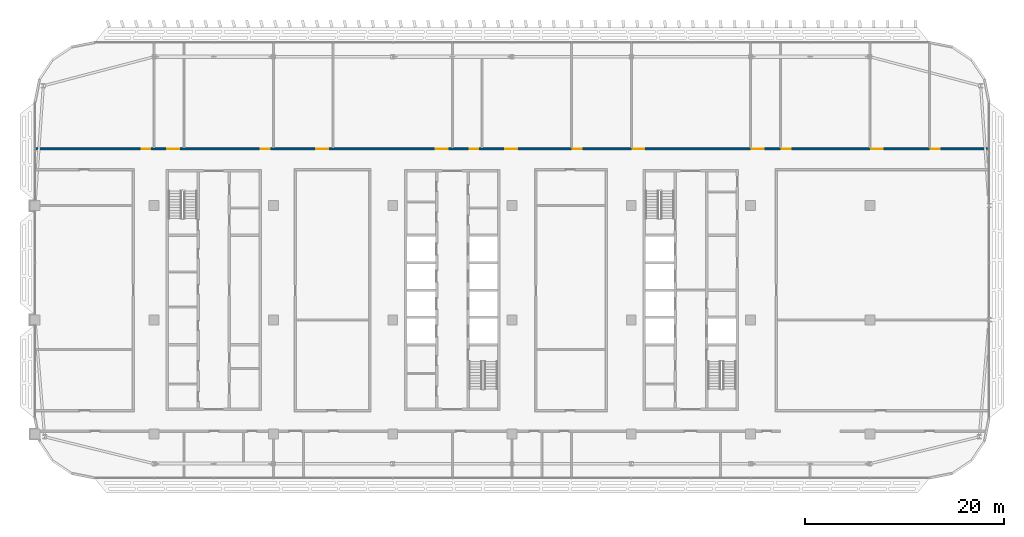
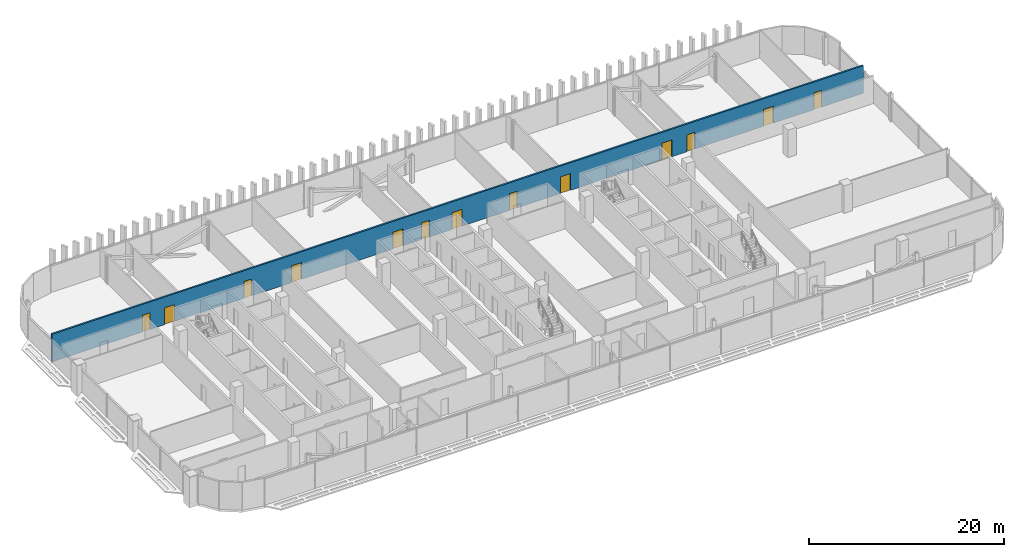
# One storey, part 20 of 32: 13 doors, 1 wall, 13 openings.
"""IFC4 building model written with IfcOpenShell, lengths in metres."""

from ifc_helpers import new_model, si_unit, direction, frame, frame_2d, origin, place, context, subcontext, project, spatial, rectangle, extrude, material, layer, layer_set, type_object, element, fill, save


model = new_model("IFC4")

# Units and contexts
model_context = context("Model", 3, precision=1e-05, world=origin(), true_north=direction((0.0, 1.0)))
body_context = subcontext(model_context, "Body", "Model", "MODEL_VIEW")
ifc_project = project(units=[si_unit("LENGTHUNIT", "METRE"), si_unit("AREAUNIT", "SQUARE_METRE"), si_unit("VOLUMEUNIT", "CUBIC_METRE"), si_unit("PLANEANGLEUNIT", "RADIAN"), si_unit("MASSUNIT", "GRAM", prefix="KILO")], contexts=[model_context])

# Site, building, storey
site_placement = place(None, origin())
site = spatial("IfcSite", under=ifc_project, at=site_placement, CompositionType="ELEMENT")
building_placement = place(site_placement, origin())
building = spatial("IfcBuilding", under=site, at=building_placement, Name="Mahtab Terrace Research Tower", CompositionType="ELEMENT")
storey_placement = place(building_placement, frame((0.0, 0.0, 240.0)))
storey = spatial("IfcBuildingStorey", under=building, at=storey_placement, Name="L58", CompositionType="ELEMENT", Elevation=240.0)

# Wall, openings, doors
ifc_material_1 = material(Name="Gypsum board corridor wall on steel studs", Category="steel")
ifc_layer = layer(ifc_material_1, 0.199951171875)
ifc_layer_set = layer_set([ifc_layer], Name="WALL CORRIDOR 200")
wall_type = type_object("IfcWallType", Name="WALL CORRIDOR 200", PredefinedType="PARTITIONING", material=ifc_layer_set)
wall_placement = place(storey_placement, frame((-41.97509765625, 17.199951171875, 0.0), z_axis=(0.0, 0.0, 1.0), x_axis=(1.0, 0.0, 0.0)))
wall = element("IfcWall", 1, at=wall_placement, inside=storey, type_object=wall_type, Name="L58-W025", PredefinedType="PARTITIONING", context=body_context, shape_type="SweptSolid", body=[
    extrude(rectangle(XDim=95.9501953125, YDim=0.199951171875, at=frame_2d((47.97509765625, 0.0))), origin(), (0.0, 0.0, 1.0), 3.4599609375),
])
opening_1_placement = place(wall_placement, frame((10.699951171875, 0.0, 0.0)))
opening_1 = element("IfcOpeningElement", 2, at=opening_1_placement, cuts=wall, Name="Opening L58-122", PredefinedType="OPENING", context=body_context, shape_type="SweptSolid", body=[
    extrude(rectangle(XDim=0.89990234375, YDim=2.10009765625, at=frame_2d((0.449951171875, 1.050048828125))), frame((0.0, 0.10986328125, 0.0), z_axis=(0.0, -1.0, 0.0), x_axis=(1.0, 0.0, 0.0)), (0.0, 0.0, 1.0), 0.219970703125),
])
opening_2_placement = place(wall_placement, frame((13.300048828125, 0.0, 0.0)))
opening_2 = element("IfcOpeningElement", 3, at=opening_2_placement, cuts=wall, Name="Opening L58-123", PredefinedType="OPENING", context=body_context, shape_type="SweptSolid", body=[
    extrude(rectangle(XDim=1.199951171875, YDim=2.10009765625, at=frame_2d((0.60009765625, 1.050048828125))), frame((0.0, 0.10986328125, 0.0), z_axis=(0.0, -1.0, 0.0), x_axis=(1.0, 0.0, 0.0)), (0.0, 0.0, 1.0), 0.219970703125),
])
opening_3_placement = place(wall_placement, frame((22.699951171875, 0.0, 0.0)))
opening_3 = element("IfcOpeningElement", 4, at=opening_3_placement, cuts=wall, Name="Opening L58-124", PredefinedType="OPENING", context=body_context, shape_type="SweptSolid", body=[
    extrude(rectangle(XDim=0.89990234375, YDim=2.10009765625, at=frame_2d((0.449951171875, 1.050048828125))), frame((0.0, 0.10986328125, 0.0), z_axis=(0.0, -1.0, 0.0), x_axis=(1.0, 0.0, 0.0)), (0.0, 0.0, 1.0), 0.219970703125),
])
opening_4_placement = place(wall_placement, frame((28.300048828125, 0.0, 0.0)))
opening_4 = element("IfcOpeningElement", 5, at=opening_4_placement, cuts=wall, Name="Opening L58-125", PredefinedType="OPENING", context=body_context, shape_type="SweptSolid", body=[
    extrude(rectangle(XDim=1.199951171875, YDim=2.10009765625, at=frame_2d((0.60009765625, 1.050048828125))), frame((0.0, 0.10986328125, 0.0), z_axis=(0.0, -1.0, 0.0), x_axis=(1.0, 0.0, 0.0)), (0.0, 0.0, 1.0), 0.219970703125),
])
opening_5_placement = place(wall_placement, frame((40.300048828125, 0.0, 0.0)))
opening_5 = element("IfcOpeningElement", 6, at=opening_5_placement, cuts=wall, Name="Opening L58-126", PredefinedType="OPENING", context=body_context, shape_type="SweptSolid", body=[
    extrude(rectangle(XDim=1.199951171875, YDim=2.10009765625, at=frame_2d((0.60009765625, 1.050048828125))), frame((0.0, 0.10986328125, 0.0), z_axis=(0.0, -1.0, 0.0), x_axis=(1.0, 0.0, 0.0)), (0.0, 0.0, 1.0), 0.219970703125),
])
opening_6_placement = place(wall_placement, frame((43.699951171875, 0.0, 0.0)))
opening_6 = element("IfcOpeningElement", 7, at=opening_6_placement, cuts=wall, Name="Opening L58-127", PredefinedType="OPENING", context=body_context, shape_type="SweptSolid", body=[
    extrude(rectangle(XDim=0.89990234375, YDim=2.10009765625, at=frame_2d((0.449951171875, 1.050048828125))), frame((0.0, 0.10986328125, 0.0), z_axis=(0.0, -1.0, 0.0), x_axis=(1.0, 0.0, 0.0)), (0.0, 0.0, 1.0), 0.219970703125),
])
opening_7_placement = place(wall_placement, frame((47.300048828125, 0.0, 0.0)))
opening_7 = element("IfcOpeningElement", 8, at=opening_7_placement, cuts=wall, Name="Opening L58-128", PredefinedType="OPENING", context=body_context, shape_type="SweptSolid", body=[
    extrude(rectangle(XDim=1.199951171875, YDim=2.10009765625, at=frame_2d((0.60009765625, 1.050048828125))), frame((0.0, 0.10986328125, 0.0), z_axis=(0.0, -1.0, 0.0), x_axis=(1.0, 0.0, 0.0)), (0.0, 0.0, 1.0), 0.219970703125),
])
opening_8_placement = place(wall_placement, frame((54.10009765625, 0.0, 0.0)))
opening_8 = element("IfcOpeningElement", 9, at=opening_8_placement, cuts=wall, Name="Opening L58-129", PredefinedType="OPENING", context=body_context, shape_type="SweptSolid", body=[
    extrude(rectangle(XDim=0.89990234375, YDim=2.10009765625, at=frame_2d((0.449951171875, 1.050048828125))), frame((0.0, 0.10986328125, 0.0), z_axis=(0.0, -1.0, 0.0), x_axis=(1.0, 0.0, 0.0)), (0.0, 0.0, 1.0), 0.219970703125),
])
opening_9_placement = place(wall_placement, frame((60.10009765625, 0.0, 0.0)))
opening_9 = element("IfcOpeningElement", 10, at=opening_9_placement, cuts=wall, Name="Opening L58-130", PredefinedType="OPENING", context=body_context, shape_type="SweptSolid", body=[
    extrude(rectangle(XDim=1.199951171875, YDim=2.10009765625, at=frame_2d((0.60009765625, 1.050048828125))), frame((0.0, 0.10986328125, 0.0), z_axis=(0.0, -1.0, 0.0), x_axis=(1.0, 0.0, 0.0)), (0.0, 0.0, 1.0), 0.219970703125),
])
opening_10_placement = place(wall_placement, frame((72.10009765625, 0.0, 0.0)))
opening_10 = element("IfcOpeningElement", 11, at=opening_10_placement, cuts=wall, Name="Opening L58-131", PredefinedType="OPENING", context=body_context, shape_type="SweptSolid", body=[
    extrude(rectangle(XDim=1.199951171875, YDim=2.10009765625, at=frame_2d((0.60009765625, 1.050048828125))), frame((0.0, 0.10986328125, 0.0), z_axis=(0.0, -1.0, 0.0), x_axis=(1.0, 0.0, 0.0)), (0.0, 0.0, 1.0), 0.219970703125),
])
opening_11_placement = place(wall_placement, frame((75.10009765625, 0.0, 0.0)))
opening_11 = element("IfcOpeningElement", 12, at=opening_11_placement, cuts=wall, Name="Opening L58-132", PredefinedType="OPENING", context=body_context, shape_type="SweptSolid", body=[
    extrude(rectangle(XDim=0.89990234375, YDim=2.10009765625, at=frame_2d((0.449951171875, 1.050048828125))), frame((0.0, 0.10986328125, 0.0), z_axis=(0.0, -1.0, 0.0), x_axis=(1.0, 0.0, 0.0)), (0.0, 0.0, 1.0), 0.219970703125),
])
opening_12_placement = place(wall_placement, frame((84.10009765625, 0.0, 0.0)))
opening_12 = element("IfcOpeningElement", 13, at=opening_12_placement, cuts=wall, Name="Opening L58-133", PredefinedType="OPENING", context=body_context, shape_type="SweptSolid", body=[
    extrude(rectangle(XDim=1.199951171875, YDim=2.10009765625, at=frame_2d((0.60009765625, 1.050048828125))), frame((0.0, 0.10986328125, 0.0), z_axis=(0.0, -1.0, 0.0), x_axis=(1.0, 0.0, 0.0)), (0.0, 0.0, 1.0), 0.219970703125),
])
opening_13_placement = place(wall_placement, frame((90.10009765625, 0.0, 0.0)))
opening_13 = element("IfcOpeningElement", 14, at=opening_13_placement, cuts=wall, Name="Opening L58-134", PredefinedType="OPENING", context=body_context, shape_type="SweptSolid", body=[
    extrude(rectangle(XDim=0.89990234375, YDim=2.10009765625, at=frame_2d((0.449951171875, 1.050048828125))), frame((0.0, 0.10986328125, 0.0), z_axis=(0.0, -1.0, 0.0), x_axis=(1.0, 0.0, 0.0)), (0.0, 0.0, 1.0), 0.219970703125),
])
ifc_material_2 = material(Name="Timber door leaf in steel frame", Category="steel")
door_type_1 = type_object("IfcDoorType", Name="DOOR 0900X2100 FD30S", OperationType="SINGLE_SWING_LEFT", PredefinedType="DOOR", material=ifc_material_2)
door_1_placement = place(opening_1_placement, origin())
door_1 = element("IfcDoor", 15, at=door_1_placement, inside=storey, type_object=door_type_1, Name="Door L58-122", OperationType="SINGLE_SWING_LEFT", OverallHeight=2.10009765625, OverallWidth=0.89990234375, PredefinedType="DOOR", context=body_context, shape_type="SweptSolid", body=[
    extrude(rectangle(XDim=0.89990234375, YDim=2.10009765625, at=frame_2d((0.449951171875, 1.050048828125))), frame((0.0, 0.02490234375, 0.0), z_axis=(0.0, -1.0, 0.0), x_axis=(1.0, 0.0, 0.0)), (0.0, 0.0, 1.0), 0.050048828125),
])
fill(opening_1, door_1)
door_2_placement = place(opening_3_placement, origin())
door_2 = element("IfcDoor", 16, at=door_2_placement, inside=storey, type_object=door_type_1, Name="Door L58-124", OperationType="SINGLE_SWING_LEFT", OverallHeight=2.10009765625, OverallWidth=0.89990234375, PredefinedType="DOOR", context=body_context, shape_type="SweptSolid", body=[
    extrude(rectangle(XDim=0.89990234375, YDim=2.10009765625, at=frame_2d((0.449951171875, 1.050048828125))), frame((0.0, 0.02490234375, 0.0), z_axis=(0.0, -1.0, 0.0), x_axis=(1.0, 0.0, 0.0)), (0.0, 0.0, 1.0), 0.050048828125),
])
fill(opening_3, door_2)
door_3_placement = place(opening_6_placement, origin())
door_3 = element("IfcDoor", 17, at=door_3_placement, inside=storey, type_object=door_type_1, Name="Door L58-127", OperationType="SINGLE_SWING_LEFT", OverallHeight=2.10009765625, OverallWidth=0.89990234375, PredefinedType="DOOR", context=body_context, shape_type="SweptSolid", body=[
    extrude(rectangle(XDim=0.89990234375, YDim=2.10009765625, at=frame_2d((0.449951171875, 1.050048828125))), frame((0.0, 0.02490234375, 0.0), z_axis=(0.0, -1.0, 0.0), x_axis=(1.0, 0.0, 0.0)), (0.0, 0.0, 1.0), 0.050048828125),
])
fill(opening_6, door_3)
door_4_placement = place(opening_8_placement, origin())
door_4 = element("IfcDoor", 18, at=door_4_placement, inside=storey, type_object=door_type_1, Name="Door L58-129", OperationType="SINGLE_SWING_RIGHT", OverallHeight=2.10009765625, OverallWidth=0.89990234375, PredefinedType="DOOR", context=body_context, shape_type="SweptSolid", body=[
    extrude(rectangle(XDim=0.89990234375, YDim=2.10009765625, at=frame_2d((0.449951171875, 1.050048828125))), frame((0.0, 0.02490234375, 0.0), z_axis=(0.0, -1.0, 0.0), x_axis=(1.0, 0.0, 0.0)), (0.0, 0.0, 1.0), 0.050048828125),
])
fill(opening_8, door_4)
door_5_placement = place(opening_11_placement, origin())
door_5 = element("IfcDoor", 19, at=door_5_placement, inside=storey, type_object=door_type_1, Name="Door L58-132", OperationType="SINGLE_SWING_RIGHT", OverallHeight=2.10009765625, OverallWidth=0.89990234375, PredefinedType="DOOR", context=body_context, shape_type="SweptSolid", body=[
    extrude(rectangle(XDim=0.89990234375, YDim=2.10009765625, at=frame_2d((0.449951171875, 1.050048828125))), frame((0.0, 0.02490234375, 0.0), z_axis=(0.0, -1.0, 0.0), x_axis=(1.0, 0.0, 0.0)), (0.0, 0.0, 1.0), 0.050048828125),
])
fill(opening_11, door_5)
door_6_placement = place(opening_13_placement, origin())
door_6 = element("IfcDoor", 20, at=door_6_placement, inside=storey, type_object=door_type_1, Name="Door L58-134", OperationType="SINGLE_SWING_RIGHT", OverallHeight=2.10009765625, OverallWidth=0.89990234375, PredefinedType="DOOR", context=body_context, shape_type="SweptSolid", body=[
    extrude(rectangle(XDim=0.89990234375, YDim=2.10009765625, at=frame_2d((0.449951171875, 1.050048828125))), frame((0.0, 0.02490234375, 0.0), z_axis=(0.0, -1.0, 0.0), x_axis=(1.0, 0.0, 0.0)), (0.0, 0.0, 1.0), 0.050048828125),
])
fill(opening_13, door_6)
door_type_2 = type_object("IfcDoorType", Name="DOOR 1200X2100 FD30S", OperationType="SINGLE_SWING_LEFT", PredefinedType="DOOR", material=ifc_material_2)
door_7_placement = place(opening_2_placement, origin())
door_7 = element("IfcDoor", 21, at=door_7_placement, inside=storey, type_object=door_type_2, Name="Door L58-123", OperationType="SINGLE_SWING_LEFT", OverallHeight=2.10009765625, OverallWidth=1.199951171875, PredefinedType="DOOR", context=body_context, shape_type="SweptSolid", body=[
    extrude(rectangle(XDim=1.199951171875, YDim=2.10009765625, at=frame_2d((0.60009765625, 1.050048828125))), frame((0.0, 0.02490234375, 0.0), z_axis=(0.0, -1.0, 0.0), x_axis=(1.0, 0.0, 0.0)), (0.0, 0.0, 1.0), 0.050048828125),
])
fill(opening_2, door_7)
door_8_placement = place(opening_4_placement, origin())
door_8 = element("IfcDoor", 22, at=door_8_placement, inside=storey, type_object=door_type_2, Name="Door L58-125", OperationType="SINGLE_SWING_LEFT", OverallHeight=2.10009765625, OverallWidth=1.199951171875, PredefinedType="DOOR", context=body_context, shape_type="SweptSolid", body=[
    extrude(rectangle(XDim=1.199951171875, YDim=2.10009765625, at=frame_2d((0.60009765625, 1.050048828125))), frame((0.0, 0.02490234375, 0.0), z_axis=(0.0, -1.0, 0.0), x_axis=(1.0, 0.0, 0.0)), (0.0, 0.0, 1.0), 0.050048828125),
])
fill(opening_4, door_8)
door_9_placement = place(opening_5_placement, origin())
door_9 = element("IfcDoor", 23, at=door_9_placement, inside=storey, type_object=door_type_2, Name="Door L58-126", OperationType="SINGLE_SWING_LEFT", OverallHeight=2.10009765625, OverallWidth=1.199951171875, PredefinedType="DOOR", context=body_context, shape_type="SweptSolid", body=[
    extrude(rectangle(XDim=1.199951171875, YDim=2.10009765625, at=frame_2d((0.60009765625, 1.050048828125))), frame((0.0, 0.02490234375, 0.0), z_axis=(0.0, -1.0, 0.0), x_axis=(1.0, 0.0, 0.0)), (0.0, 0.0, 1.0), 0.050048828125),
])
fill(opening_5, door_9)
door_10_placement = place(opening_7_placement, origin())
door_10 = element("IfcDoor", 24, at=door_10_placement, inside=storey, type_object=door_type_2, Name="Door L58-128", OperationType="SINGLE_SWING_RIGHT", OverallHeight=2.10009765625, OverallWidth=1.199951171875, PredefinedType="DOOR", context=body_context, shape_type="SweptSolid", body=[
    extrude(rectangle(XDim=1.199951171875, YDim=2.10009765625, at=frame_2d((0.60009765625, 1.050048828125))), frame((0.0, 0.02490234375, 0.0), z_axis=(0.0, -1.0, 0.0), x_axis=(1.0, 0.0, 0.0)), (0.0, 0.0, 1.0), 0.050048828125),
])
fill(opening_7, door_10)
door_11_placement = place(opening_9_placement, origin())
door_11 = element("IfcDoor", 25, at=door_11_placement, inside=storey, type_object=door_type_2, Name="Door L58-130", OperationType="SINGLE_SWING_RIGHT", OverallHeight=2.10009765625, OverallWidth=1.199951171875, PredefinedType="DOOR", context=body_context, shape_type="SweptSolid", body=[
    extrude(rectangle(XDim=1.199951171875, YDim=2.10009765625, at=frame_2d((0.60009765625, 1.050048828125))), frame((0.0, 0.02490234375, 0.0), z_axis=(0.0, -1.0, 0.0), x_axis=(1.0, 0.0, 0.0)), (0.0, 0.0, 1.0), 0.050048828125),
])
fill(opening_9, door_11)
door_12_placement = place(opening_10_placement, origin())
door_12 = element("IfcDoor", 26, at=door_12_placement, inside=storey, type_object=door_type_2, Name="Door L58-131", OperationType="SINGLE_SWING_RIGHT", OverallHeight=2.10009765625, OverallWidth=1.199951171875, PredefinedType="DOOR", context=body_context, shape_type="SweptSolid", body=[
    extrude(rectangle(XDim=1.199951171875, YDim=2.10009765625, at=frame_2d((0.60009765625, 1.050048828125))), frame((0.0, 0.02490234375, 0.0), z_axis=(0.0, -1.0, 0.0), x_axis=(1.0, 0.0, 0.0)), (0.0, 0.0, 1.0), 0.050048828125),
])
fill(opening_10, door_12)
door_13_placement = place(opening_12_placement, origin())
door_13 = element("IfcDoor", 27, at=door_13_placement, inside=storey, type_object=door_type_2, Name="Door L58-133", OperationType="SINGLE_SWING_RIGHT", OverallHeight=2.10009765625, OverallWidth=1.199951171875, PredefinedType="DOOR", context=body_context, shape_type="SweptSolid", body=[
    extrude(rectangle(XDim=1.199951171875, YDim=2.10009765625, at=frame_2d((0.60009765625, 1.050048828125))), frame((0.0, 0.02490234375, 0.0), z_axis=(0.0, -1.0, 0.0), x_axis=(1.0, 0.0, 0.0)), (0.0, 0.0, 1.0), 0.050048828125),
])
fill(opening_12, door_13)

save(model, "model.ifc")
